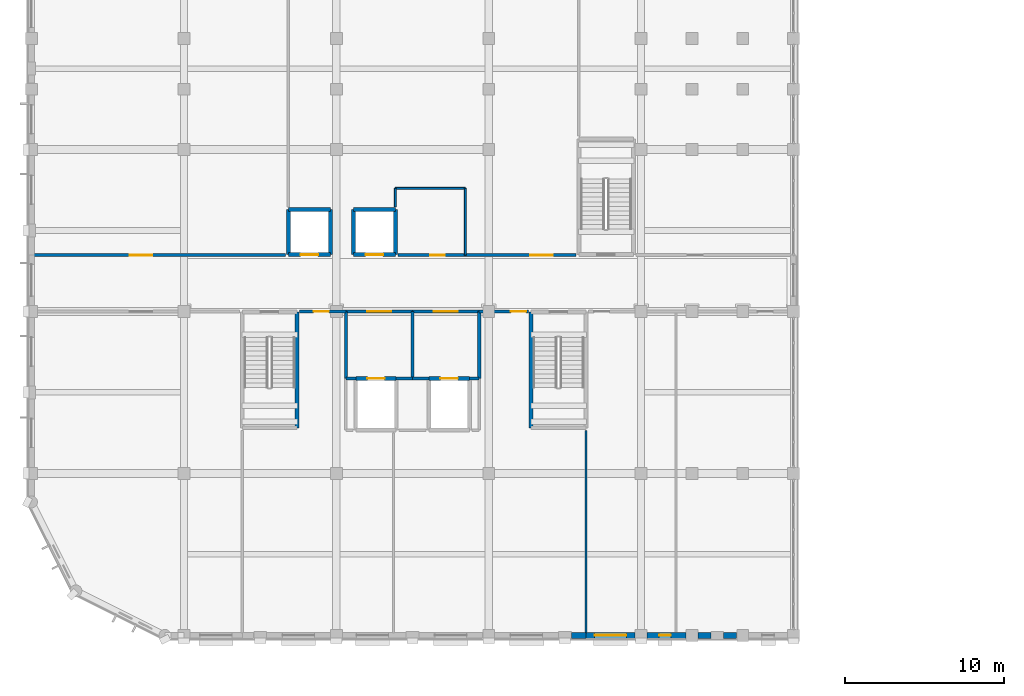
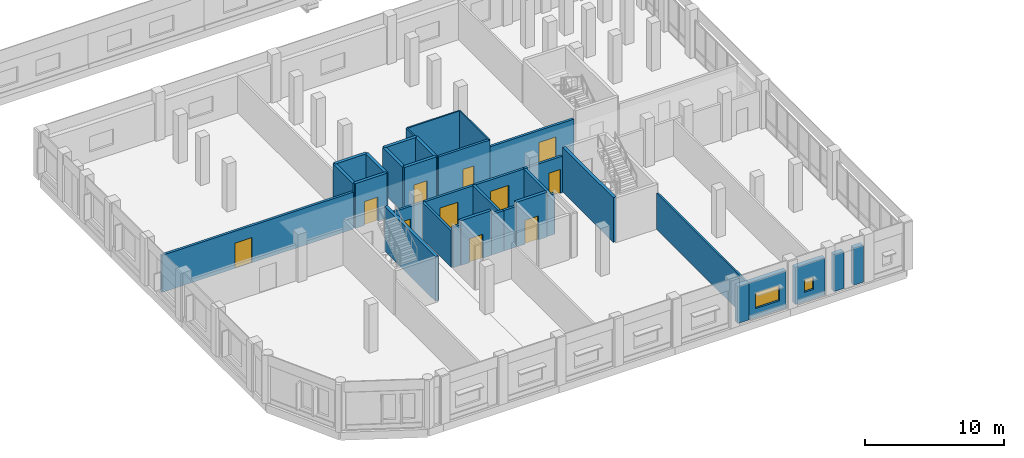
# One storey, part 137 of 170: 35 walls, 11 doors, 2 windows, 13 openings.
"""IFC4 building model written with IfcOpenShell, lengths in metres."""

from ifc_helpers import new_model, si_unit, direction, frame, frame_2d, origin, place, context, subcontext, project, spatial, rectangle, extrude, material, layer, layer_set, type_object, element, fill, save


model = new_model("IFC4")

# Units and contexts
model_context = context("Model", 3, precision=1e-05, world=origin(), true_north=direction((0.0, 1.0)))
body_context = subcontext(model_context, "Body", "Model", "MODEL_VIEW")
ifc_project = project(units=[si_unit("LENGTHUNIT", "METRE"), si_unit("AREAUNIT", "SQUARE_METRE"), si_unit("VOLUMEUNIT", "CUBIC_METRE"), si_unit("PLANEANGLEUNIT", "RADIAN"), si_unit("MASSUNIT", "GRAM", prefix="KILO")], contexts=[model_context])

# Site, building, storey
site_placement = place(None, origin())
site = spatial("IfcSite", under=ifc_project, at=site_placement, CompositionType="ELEMENT")
building_placement = place(site_placement, origin())
building = spatial("IfcBuilding", under=site, at=building_placement, Name="Vondelvale Polytechnic", CompositionType="ELEMENT")
storey_placement = place(building_placement, frame((0.0, 0.0, 5.39990234375)))
storey = spatial("IfcBuildingStorey", under=building, at=storey_placement, Name="L01", CompositionType="ELEMENT", Elevation=5.39990234375)

# Wall
ifc_material_1 = material(Name="Amsterdam School iron-spot clinker clay brickwork", Category="masonry")
ifc_layer_1 = layer(ifc_material_1, 0.3798828125)
ifc_layer_set_1 = layer_set([ifc_layer_1], Name="WL-BRICK-380")
wall_type_1 = type_object("IfcWallType", Name="WL-BRICK-380", PredefinedType="SOLIDWALL", material=ifc_layer_set_1)
wall_1_placement = place(storey_placement, frame((34.925048828125, 0.0, 0.0), z_axis=(0.0, 0.0, 1.0), x_axis=(-1.0, 0.0, 0.0)))
element("IfcWall", 1, at=wall_1_placement, inside=storey, type_object=wall_type_1, Name="L01 exterior masonry facade wall", PredefinedType="SOLIDWALL", context=body_context, shape_type="SweptSolid", body=[
    extrude(rectangle(XDim=0.924072265625, YDim=0.3798828125, at=frame_2d((0.4619140625, 0.0))), origin(), (0.0, 0.0, 1.0), 3.25),
])

# Wall, opening, window
wall_2_placement = place(storey_placement, frame((38.02392578125, 0.0, 0.0), z_axis=(0.0, 0.0, 1.0), x_axis=(-1.0, 0.0, 0.0)))
wall_2 = element("IfcWall", 2, at=wall_2_placement, inside=storey, type_object=wall_type_1, Name="L01 exterior masonry facade wall", PredefinedType="SOLIDWALL", context=body_context, shape_type="SweptSolid", body=[
    extrude(rectangle(XDim=3.098876953125, YDim=0.3798828125, at=frame_2d((1.54931640625, 0.0))), origin(), (0.0, 0.0, 1.0), 3.25),
])
opening_1_placement = place(wall_2_placement, frame((0.549560546875, 0.0, 0.800048828125)))
opening_1 = element("IfcOpeningElement", 3, at=opening_1_placement, cuts=wall_2, Name="Opening WN-0165", PredefinedType="OPENING", context=body_context, shape_type="SweptSolid", body=[
    extrude(rectangle(XDim=2.0, YDim=1.35009765625, at=frame_2d((1.0, 0.675048828125))), frame((0.0, 0.199951171875, 0.0), z_axis=(0.0, -1.0, 0.0), x_axis=(1.0, 0.0, 0.0)), (0.0, 0.0, 1.0), 0.39990234375),
])
ifc_material_2 = material(Name="Double-glazed low-E insulated architectural glass", Category="glass")
window_type_1 = type_object("IfcWindowType", Name="WN-RIB-2000x1350", PartitioningType="SINGLE_PANEL", PredefinedType="WINDOW", material=ifc_material_2)
window_1_placement = place(opening_1_placement, origin())
window_1 = element("IfcWindow", 4, at=window_1_placement, inside=storey, type_object=window_type_1, Name="L01 double-glazed architectural window WN-0165", OverallHeight=1.35009765625, OverallWidth=2.0, PartitioningType="SINGLE_PANEL", PredefinedType="WINDOW", context=body_context, shape_type="SweptSolid", body=[
    extrude(rectangle(XDim=2.0, YDim=1.35009765625, at=frame_2d((1.0, 0.675048828125))), frame((0.0, 0.030029296875, 0.0), z_axis=(0.0, -1.0, 0.0), x_axis=(1.0, 0.0, 0.0)), (0.0, 0.0, 1.0), 0.06005859375),
])
fill(opening_1, window_1)

# Wall
wall_3_placement = place(storey_placement, frame((42.799072265625, 0.0, 0.0), z_axis=(0.0, 0.0, 1.0), x_axis=(-1.0, 0.0, 0.0)))
element("IfcWall", 5, at=wall_3_placement, inside=storey, type_object=wall_type_1, Name="L01 exterior masonry facade wall", PredefinedType="SOLIDWALL", context=body_context, shape_type="SweptSolid", body=[
    extrude(rectangle(XDim=0.822998046875, YDim=0.3798828125, at=frame_2d((0.41162109375, 0.0))), origin(), (0.0, 0.0, 1.0), 3.25),
])

# Wall, opening, window
wall_4_placement = place(storey_placement, frame((41.22412109375, 0.0, 0.0), z_axis=(0.0, 0.0, 1.0), x_axis=(-1.0, 0.0, 0.0)))
wall_4 = element("IfcWall", 6, at=wall_4_placement, inside=storey, type_object=wall_type_1, Name="L01 exterior masonry facade wall", PredefinedType="SOLIDWALL", context=body_context, shape_type="SweptSolid", body=[
    extrude(rectangle(XDim=2.4482421875, YDim=0.3798828125, at=frame_2d((1.22412109375, 0.0))), origin(), (0.0, 0.0, 1.0), 3.25),
])
opening_2_placement = place(wall_4_placement, frame((0.944091796875, 0.0, 0.800048828125)))
opening_2 = element("IfcOpeningElement", 7, at=opening_2_placement, cuts=wall_4, Name="Opening WN-0166", PredefinedType="OPENING", context=body_context, shape_type="SweptSolid", body=[
    extrude(rectangle(XDim=0.75, YDim=1.10009765625, at=frame_2d((0.375, 0.550048828125))), frame((0.0, 0.199951171875, 0.0), z_axis=(0.0, -1.0, 0.0), x_axis=(1.0, 0.0, 0.0)), (0.0, 0.0, 1.0), 0.39990234375),
])
window_type_2 = type_object("IfcWindowType", Name="WN-WC-0750x1100", PartitioningType="SINGLE_PANEL", PredefinedType="WINDOW", material=ifc_material_2)
window_2_placement = place(opening_2_placement, origin())
window_2 = element("IfcWindow", 8, at=window_2_placement, inside=storey, type_object=window_type_2, Name="L01 double-glazed architectural window WN-0166", OverallHeight=1.10009765625, OverallWidth=0.75, PartitioningType="SINGLE_PANEL", PredefinedType="WINDOW", context=body_context, shape_type="SweptSolid", body=[
    extrude(rectangle(XDim=0.75, YDim=1.10009765625, at=frame_2d((0.375, 0.550048828125))), frame((0.0, 0.030029296875, 0.0), z_axis=(0.0, -1.0, 0.0), x_axis=(1.0, 0.0, 0.0)), (0.0, 0.0, 1.0), 0.06005859375),
])
fill(opening_2, window_2)

# Walls
wall_5_placement = place(storey_placement, frame((44.424072265625, 0.0, 0.0), z_axis=(0.0, 0.0, 1.0), x_axis=(-1.0, 0.0, 0.0)))
element("IfcWall", 9, at=wall_5_placement, inside=storey, type_object=wall_type_1, Name="L01 exterior masonry facade wall", PredefinedType="SOLIDWALL", context=body_context, shape_type="SweptSolid", body=[
    extrude(rectangle(XDim=0.822998046875, YDim=0.3798828125, at=frame_2d((0.41162109375, 0.0))), origin(), (0.0, 0.0, 1.0), 3.25),
])
ifc_material_3 = material(Name="Concrete N40 (f'c = 40 MPa)", Category="concrete")
ifc_layer_2 = layer(ifc_material_3, 0.25)
ifc_layer_set_2 = layer_set([ifc_layer_2], Name="WL-CORE-250")
wall_type_2 = type_object("IfcWallType", Name="WL-CORE-250", PredefinedType="SOLIDWALL", material=ifc_layer_set_2)
for number, where, z_axis, x_axis, name in (
    (10, (16.72509765625, 13.074951171875, 0.0), (0.0, 0.0, 1.0), (0.0, 1.0, 0.0), "L01 ST-03 reinforced concrete stair core wall"),
    (11, (31.47509765625, 20.375, 0.0), (0.0, 0.0, 1.0), (0.0, -1.0, 0.0), "L01 ST-04 reinforced concrete stair core wall"),
):
    element("IfcWall", number, at=place(storey_placement, frame(where, z_axis=z_axis, x_axis=x_axis)), inside=storey, type_object=wall_type_2, Name=name, PredefinedType="SOLIDWALL", context=body_context, shape_type="SweptSolid", body=[
        extrude(rectangle(XDim=7.300048828125, YDim=0.25, at=frame_2d((3.64990234375, 0.0))), origin(), (0.0, 0.0, 1.0), 3.920166015625),
    ])

# Wall, opening, door
ifc_material_4 = material(Name="Fire-rated double-layer plasterboard stud partition")
ifc_layer_3 = layer(ifc_material_4, 0.199951171875)
ifc_layer_set_3 = layer_set([ifc_layer_3], Name="WL-CORR-200")
wall_type_3 = type_object("IfcWallType", Name="WL-CORR-200", PredefinedType="PARTITIONING", material=ifc_layer_set_3)
wall_6_placement = place(storey_placement, frame((19.800048828125, 20.39990234375, 0.0), z_axis=(0.0, 0.0, 1.0), x_axis=(1.0, 0.0, 0.0)))
wall_6 = element("IfcWall", 12, at=wall_6_placement, inside=storey, type_object=wall_type_3, Name="L01 EL-01 fire-isolated lift lobby wall", PredefinedType="PARTITIONING", context=body_context, shape_type="SweptSolid", body=[
    extrude(rectangle(XDim=4.199951171875, YDim=0.199951171875, at=frame_2d((2.10009765625, 0.0))), origin(), (0.0, 0.0, 1.0), 3.2001953125),
])
opening_3_placement = place(wall_6_placement, frame((1.35009765625, 0.0, 0.0)))
opening_3 = element("IfcOpeningElement", 13, at=opening_3_placement, cuts=wall_6, Name="Opening LBD-058", PredefinedType="OPENING", context=body_context, shape_type="SweptSolid", body=[
    extrude(rectangle(XDim=1.5, YDim=2.199951171875, at=frame_2d((0.75, 1.10009765625))), frame((0.0, 0.10986328125, 0.0), z_axis=(0.0, -1.0, 0.0), x_axis=(1.0, 0.0, 0.0)), (0.0, 0.0, 1.0), 0.219970703125),
])
ifc_material_5 = material(Name="Engineered Tasmanian oak studio and bridge joinery")
door_type_1 = type_object("IfcDoorType", Name="DR-LOBBY-1500x2200", OperationType="DOUBLE_DOOR_SINGLE_SWING", PredefinedType="DOOR", material=ifc_material_5)
door_1_placement = place(opening_3_placement, origin())
door_1 = element("IfcDoor", 14, at=door_1_placement, inside=storey, type_object=door_type_1, Name="L01 EL-01 firefighting lobby smoke door", OperationType="SINGLE_SWING_LEFT", OverallHeight=2.199951171875, OverallWidth=1.5, PredefinedType="DOOR", context=body_context, shape_type="SweptSolid", body=[
    extrude(rectangle(XDim=1.5, YDim=2.199951171875, at=frame_2d((0.75, 1.10009765625))), frame((0.0, 0.02490234375, 0.0), z_axis=(0.0, -1.0, 0.0), x_axis=(1.0, 0.0, 0.0)), (0.0, 0.0, 1.0), 0.050048828125),
])
fill(opening_3, door_1)

# Walls
for number, where, z_axis, x_axis, name in (
    (15, (19.800048828125, 16.175048828125, 0.0), (0.0, 0.0, 1.0), (0.0, 1.0, 0.0), "L01 EL-01 fire-isolated lift lobby wall"),
    (16, (24.0, 16.175048828125, 0.0), (0.0, 0.0, 1.0), (0.0, 1.0, 0.0), "L01 EL-01 fire-isolated lift lobby wall"),
):
    element("IfcWall", number, at=place(storey_placement, frame(where, z_axis=z_axis, x_axis=x_axis)), inside=storey, type_object=wall_type_3, Name=name, PredefinedType="PARTITIONING", context=body_context, shape_type="SweptSolid", body=[
        extrude(rectangle(XDim=4.224853515625, YDim=0.199951171875, at=frame_2d((2.1123046875, 0.0))), origin(), (0.0, 0.0, 1.0), 3.2001953125),
    ])
wall_7_placement = place(storey_placement, frame((19.800048828125, 16.175048828125, 0.0), z_axis=(0.0, 0.0, 1.0), x_axis=(1.0, 0.0, 0.0)))
element("IfcWall", 17, at=wall_7_placement, inside=storey, type_object=wall_type_3, Name="L01 EL-01 fire-isolated lift lobby wall", PredefinedType="PARTITIONING", context=body_context, shape_type="SweptSolid", body=[
    extrude(rectangle(XDim=0.625, YDim=0.199951171875, at=frame_2d((0.3125, 0.0))), origin(), (0.0, 0.0, 1.0), 3.550048828125),
])
wall_8_placement = place(storey_placement, frame((22.97509765625, 16.175048828125, 0.0), z_axis=(0.0, 0.0, 1.0), x_axis=(1.0, 0.0, 0.0)))
element("IfcWall", 18, at=wall_8_placement, inside=storey, type_object=wall_type_3, Name="L01 EL-01 fire-isolated lift lobby wall", PredefinedType="PARTITIONING", context=body_context, shape_type="SweptSolid", body=[
    extrude(rectangle(XDim=1.02490234375, YDim=0.199951171875, at=frame_2d((0.512451171875, 0.0))), origin(), (0.0, 0.0, 1.0), 3.550048828125),
])

# Wall, opening, door
wall_9_placement = place(storey_placement, frame((24.0, 20.39990234375, 0.0), z_axis=(0.0, 0.0, 1.0), x_axis=(1.0, 0.0, 0.0)))
wall_9 = element("IfcWall", 19, at=wall_9_placement, inside=storey, type_object=wall_type_3, Name="L01 EL-02 fire-isolated lift lobby wall", PredefinedType="PARTITIONING", context=body_context, shape_type="SweptSolid", body=[
    extrude(rectangle(XDim=4.199951171875, YDim=0.199951171875, at=frame_2d((2.10009765625, 0.0))), origin(), (0.0, 0.0, 1.0), 3.2001953125),
])
opening_4_placement = place(wall_9_placement, frame((1.35009765625, 0.0, 0.0)))
opening_4 = element("IfcOpeningElement", 20, at=opening_4_placement, cuts=wall_9, Name="Opening LBD-067", PredefinedType="OPENING", context=body_context, shape_type="SweptSolid", body=[
    extrude(rectangle(XDim=1.5, YDim=2.199951171875, at=frame_2d((0.75, 1.10009765625))), frame((0.0, 0.10986328125, 0.0), z_axis=(0.0, -1.0, 0.0), x_axis=(1.0, 0.0, 0.0)), (0.0, 0.0, 1.0), 0.219970703125),
])
door_2_placement = place(opening_4_placement, origin())
door_2 = element("IfcDoor", 21, at=door_2_placement, inside=storey, type_object=door_type_1, Name="L01 EL-02 firefighting lobby smoke door", OperationType="SINGLE_SWING_LEFT", OverallHeight=2.199951171875, OverallWidth=1.5, PredefinedType="DOOR", context=body_context, shape_type="SweptSolid", body=[
    extrude(rectangle(XDim=1.5, YDim=2.199951171875, at=frame_2d((0.75, 1.10009765625))), frame((0.0, 0.02490234375, 0.0), z_axis=(0.0, -1.0, 0.0), x_axis=(1.0, 0.0, 0.0)), (0.0, 0.0, 1.0), 0.050048828125),
])
fill(opening_4, door_2)

# Walls
wall_10_placement = place(storey_placement, frame((28.199951171875, 16.175048828125, 0.0), z_axis=(0.0, 0.0, 1.0), x_axis=(0.0, 1.0, 0.0)))
element("IfcWall", 22, at=wall_10_placement, inside=storey, type_object=wall_type_3, Name="L01 EL-02 fire-isolated lift lobby wall", PredefinedType="PARTITIONING", context=body_context, shape_type="SweptSolid", body=[
    extrude(rectangle(XDim=4.224853515625, YDim=0.199951171875, at=frame_2d((2.1123046875, 0.0))), origin(), (0.0, 0.0, 1.0), 3.2001953125),
])
wall_11_placement = place(storey_placement, frame((24.0, 16.175048828125, 0.0), z_axis=(0.0, 0.0, 1.0), x_axis=(1.0, 0.0, 0.0)))
element("IfcWall", 23, at=wall_11_placement, inside=storey, type_object=wall_type_3, Name="L01 EL-02 fire-isolated lift lobby wall", PredefinedType="PARTITIONING", context=body_context, shape_type="SweptSolid", body=[
    extrude(rectangle(XDim=1.02490234375, YDim=0.199951171875, at=frame_2d((0.512451171875, 0.0))), origin(), (0.0, 0.0, 1.0), 3.550048828125),
])
wall_12_placement = place(storey_placement, frame((27.574951171875, 16.175048828125, 0.0), z_axis=(0.0, 0.0, 1.0), x_axis=(1.0, 0.0, 0.0)))
element("IfcWall", 24, at=wall_12_placement, inside=storey, type_object=wall_type_3, Name="L01 EL-02 fire-isolated lift lobby wall", PredefinedType="PARTITIONING", context=body_context, shape_type="SweptSolid", body=[
    extrude(rectangle(XDim=0.625, YDim=0.199951171875, at=frame_2d((0.3125, 0.0))), origin(), (0.0, 0.0, 1.0), 3.550048828125),
])

# Wall, opening, door
wall_13_placement = place(storey_placement, frame((16.889892578125, 20.39990234375, 0.0), z_axis=(0.0, 0.0, 1.0), x_axis=(1.0, 0.0, 0.0)))
wall_13 = element("IfcWall", 25, at=wall_13_placement, inside=storey, type_object=wall_type_3, Name="L01 interior acoustic partition", PredefinedType="PARTITIONING", context=body_context, shape_type="SweptSolid", body=[
    extrude(rectangle(XDim=2.91015625, YDim=0.199951171875, at=frame_2d((1.455078125, 0.0))), origin(), (0.0, 0.0, 1.0), 3.2001953125),
])
opening_5_placement = place(wall_13_placement, frame((0.885009765625, 0.0, 0.0)))
opening_5 = element("IfcOpeningElement", 26, at=opening_5_placement, cuts=wall_13, Name="Opening ID-0150", PredefinedType="OPENING", context=body_context, shape_type="SweptSolid", body=[
    extrude(rectangle(XDim=0.949951171875, YDim=2.10009765625, at=frame_2d((0.47509765625, 1.050048828125))), frame((0.0, 0.10986328125, 0.0), z_axis=(0.0, -1.0, 0.0), x_axis=(1.0, 0.0, 0.0)), (0.0, 0.0, 1.0), 0.219970703125),
])
ifc_material_6 = material(Name="Fire-rated solid Tasmanian oak joinery")
door_type_2 = type_object("IfcDoorType", Name="DR-INT-0950x2100", OperationType="SINGLE_SWING_LEFT", PredefinedType="DOOR", material=ifc_material_6)
door_3_placement = place(opening_5_placement, origin())
door_3 = element("IfcDoor", 27, at=door_3_placement, inside=storey, type_object=door_type_2, Name="L01 interior room door ID-0150", OperationType="SINGLE_SWING_RIGHT", OverallHeight=2.10009765625, OverallWidth=0.949951171875, PredefinedType="DOOR", context=body_context, shape_type="SweptSolid", body=[
    extrude(rectangle(XDim=0.949951171875, YDim=2.10009765625, at=frame_2d((0.47509765625, 1.050048828125))), frame((0.0, 0.02490234375, 0.0), z_axis=(0.0, -1.0, 0.0), x_axis=(1.0, 0.0, 0.0)), (0.0, 0.0, 1.0), 0.050048828125),
])
fill(opening_5, door_3)

wall_14_placement = place(storey_placement, frame((28.199951171875, 20.39990234375, 0.0), z_axis=(0.0, 0.0, 1.0), x_axis=(1.0, 0.0, 0.0)))
wall_14 = element("IfcWall", 28, at=wall_14_placement, inside=storey, type_object=wall_type_3, Name="L01 interior acoustic partition", PredefinedType="PARTITIONING", context=body_context, shape_type="SweptSolid", body=[
    extrude(rectangle(XDim=3.110107421875, YDim=0.199951171875, at=frame_2d((1.55517578125, 0.0))), origin(), (0.0, 0.0, 1.0), 3.2001953125),
])
opening_6_placement = place(wall_14_placement, frame((2.0, 0.0, 0.0)))
opening_6 = element("IfcOpeningElement", 29, at=opening_6_placement, cuts=wall_14, Name="Opening ID-0151", PredefinedType="OPENING", context=body_context, shape_type="SweptSolid", body=[
    extrude(rectangle(XDim=0.949951171875, YDim=2.10009765625, at=frame_2d((0.47509765625, 1.050048828125))), frame((0.0, 0.10986328125, 0.0), z_axis=(0.0, -1.0, 0.0), x_axis=(1.0, 0.0, 0.0)), (0.0, 0.0, 1.0), 0.219970703125),
])
door_4_placement = place(opening_6_placement, origin())
door_4 = element("IfcDoor", 30, at=door_4_placement, inside=storey, type_object=door_type_2, Name="L01 interior room door ID-0151", OperationType="SINGLE_SWING_LEFT", OverallHeight=2.10009765625, OverallWidth=0.949951171875, PredefinedType="DOOR", context=body_context, shape_type="SweptSolid", body=[
    extrude(rectangle(XDim=0.949951171875, YDim=2.10009765625, at=frame_2d((0.47509765625, 1.050048828125))), frame((0.0, 0.02490234375, 0.0), z_axis=(0.0, -1.0, 0.0), x_axis=(1.0, 0.0, 0.0)), (0.0, 0.0, 1.0), 0.050048828125),
])
fill(opening_6, door_4)

wall_15_placement = place(storey_placement, frame((23.090087890625, 23.949951171875, 0.0), z_axis=(0.0, 0.0, 1.0), x_axis=(1.0, 0.0, 0.0)))
wall_15 = element("IfcWall", 31, at=wall_15_placement, inside=storey, type_object=wall_type_3, Name="L01 interior acoustic partition", PredefinedType="PARTITIONING", context=body_context, shape_type="SweptSolid", body=[
    extrude(rectangle(XDim=4.23486328125, YDim=0.199951171875, at=frame_2d((2.117431640625, 0.0))), origin(), (0.0, 0.0, 1.0), 3.85009765625),
])
opening_7_placement = place(wall_15_placement, frame((2.034912109375, 0.0, 0.0)))
opening_7 = element("IfcOpeningElement", 32, at=opening_7_placement, cuts=wall_15, Name="Opening ID-0154", PredefinedType="OPENING", context=body_context, shape_type="SweptSolid", body=[
    extrude(rectangle(XDim=0.89990234375, YDim=2.050048828125, at=frame_2d((0.449951171875, 1.02490234375))), frame((0.0, 0.10986328125, 0.0), z_axis=(0.0, -1.0, 0.0), x_axis=(1.0, 0.0, 0.0)), (0.0, 0.0, 1.0), 0.219970703125),
])
door_type_3 = type_object("IfcDoorType", Name="DR-WC-0900x2050", OperationType="SINGLE_SWING_RIGHT", PredefinedType="DOOR", material=ifc_material_6)
door_5_placement = place(opening_7_placement, origin())
door_5 = element("IfcDoor", 33, at=door_5_placement, inside=storey, type_object=door_type_3, Name="L01 interior room door ID-0154", OperationType="SINGLE_SWING_RIGHT", OverallHeight=2.050048828125, OverallWidth=0.89990234375, PredefinedType="DOOR", context=body_context, shape_type="SweptSolid", body=[
    extrude(rectangle(XDim=0.89990234375, YDim=2.050048828125, at=frame_2d((0.449951171875, 1.02490234375))), frame((0.0, 0.02490234375, 0.0), z_axis=(0.0, -1.0, 0.0), x_axis=(1.0, 0.0, 0.0)), (0.0, 0.0, 1.0), 0.050048828125),
])
fill(opening_7, door_5)

wall_16_placement = place(storey_placement, frame((0.14990234375, 23.949951171875, 0.0), z_axis=(0.0, 0.0, 1.0), x_axis=(1.0, 0.0, 0.0)))
wall_16 = element("IfcWall", 34, at=wall_16_placement, inside=storey, type_object=wall_type_3, Name="L01 interior acoustic partition", PredefinedType="PARTITIONING", context=body_context, shape_type="SweptSolid", body=[
    extrude(rectangle(XDim=15.860107421875, YDim=0.199951171875, at=frame_2d((7.93017578125, 0.0))), origin(), (0.0, 0.0, 1.0), 3.25),
])
opening_8_placement = place(wall_16_placement, frame((6.050048828125, 0.0, 0.0)))
opening_8 = element("IfcOpeningElement", 35, at=opening_8_placement, cuts=wall_16, Name="Opening ID-0155", PredefinedType="OPENING", context=body_context, shape_type="SweptSolid", body=[
    extrude(rectangle(XDim=1.39990234375, YDim=2.199951171875, at=frame_2d((0.699951171875, 1.10009765625))), frame((0.0, 0.10986328125, 0.0), z_axis=(0.0, -1.0, 0.0), x_axis=(1.0, 0.0, 0.0)), (0.0, 0.0, 1.0), 0.219970703125),
])
door_type_4 = type_object("IfcDoorType", Name="DR-LAB-1400x2200", OperationType="DOUBLE_DOOR_SINGLE_SWING", PredefinedType="DOOR", material=ifc_material_6)
door_6_placement = place(opening_8_placement, origin())
door_6 = element("IfcDoor", 36, at=door_6_placement, inside=storey, type_object=door_type_4, Name="L01 interior room door ID-0155", OperationType="DOUBLE_DOOR_SINGLE_SWING", OverallHeight=2.199951171875, OverallWidth=1.39990234375, PredefinedType="DOOR", context=body_context, shape_type="SweptSolid", body=[
    extrude(rectangle(XDim=1.39990234375, YDim=2.199951171875, at=frame_2d((0.699951171875, 1.10009765625))), frame((0.0, 0.02490234375, 0.0), z_axis=(0.0, -1.0, 0.0), x_axis=(1.0, 0.0, 0.0)), (0.0, 0.0, 1.0), 0.050048828125),
])
fill(opening_8, door_6)

wall_17_placement = place(storey_placement, frame((27.324951171875, 23.949951171875, 0.0), z_axis=(0.0, 0.0, 1.0), x_axis=(1.0, 0.0, 0.0)))
wall_17 = element("IfcWall", 37, at=wall_17_placement, inside=storey, type_object=wall_type_3, Name="L01 interior acoustic partition", PredefinedType="PARTITIONING", context=body_context, shape_type="SweptSolid", body=[
    extrude(rectangle(XDim=6.985107421875, YDim=0.199951171875, at=frame_2d((3.49267578125, 0.0))), origin(), (0.0, 0.0, 1.0), 3.25),
])
opening_9_placement = place(wall_17_placement, frame((4.10009765625, 0.0, 0.0)))
opening_9 = element("IfcOpeningElement", 38, at=opening_9_placement, cuts=wall_17, Name="Opening ID-0156", PredefinedType="OPENING", context=body_context, shape_type="SweptSolid", body=[
    extrude(rectangle(XDim=1.39990234375, YDim=2.199951171875, at=frame_2d((0.699951171875, 1.10009765625))), frame((0.0, 0.10986328125, 0.0), z_axis=(0.0, -1.0, 0.0), x_axis=(1.0, 0.0, 0.0)), (0.0, 0.0, 1.0), 0.219970703125),
])
door_7_placement = place(opening_9_placement, origin())
door_7 = element("IfcDoor", 39, at=door_7_placement, inside=storey, type_object=door_type_4, Name="L01 interior room door ID-0156", OperationType="DOUBLE_DOOR_SINGLE_SWING", OverallHeight=2.199951171875, OverallWidth=1.39990234375, PredefinedType="DOOR", context=body_context, shape_type="SweptSolid", body=[
    extrude(rectangle(XDim=1.39990234375, YDim=2.199951171875, at=frame_2d((0.699951171875, 1.10009765625))), frame((0.0, 0.02490234375, 0.0), z_axis=(0.0, -1.0, 0.0), x_axis=(1.0, 0.0, 0.0)), (0.0, 0.0, 1.0), 0.050048828125),
])
fill(opening_9, door_7)

# Walls
ifc_layer_4 = layer(ifc_material_4, 0.1201171875)
ifc_layer_set_4 = layer_set([ifc_layer_4], Name="WL-INT-120")
wall_type_4 = type_object("IfcWallType", Name="WL-INT-120", PredefinedType="PARTITIONING", material=ifc_layer_set_4)
wall_18_placement = place(storey_placement, frame((22.925048828125, 26.989990234375, 0.0), z_axis=(0.0, 0.0, 1.0), x_axis=(0.0, 1.0, 0.0)))
element("IfcWall", 40, at=wall_18_placement, inside=storey, type_object=wall_type_4, Name="L01 interior acoustic partition", PredefinedType="PARTITIONING", context=body_context, shape_type="SweptSolid", body=[
    extrude(rectangle(XDim=1.159912109375, YDim=0.1201171875, at=frame_2d((0.580078125, 0.0))), origin(), (0.0, 0.0, 1.0), 3.85009765625),
])
wall_19_placement = place(storey_placement, frame((22.925048828125, 28.14990234375, 0.0), z_axis=(0.0, 0.0, 1.0), x_axis=(1.0, 0.0, 0.0)))
element("IfcWall", 41, at=wall_19_placement, inside=storey, type_object=wall_type_4, Name="L01 interior acoustic partition", PredefinedType="PARTITIONING", context=body_context, shape_type="SweptSolid", body=[
    extrude(rectangle(XDim=4.39990234375, YDim=0.1201171875, at=frame_2d((2.199951171875, 0.0))), origin(), (0.0, 0.0, 1.0), 3.85009765625),
])
wall_20_placement = place(storey_placement, frame((27.324951171875, 23.949951171875, 0.0), z_axis=(0.0, 0.0, 1.0), x_axis=(0.0, 1.0, 0.0)))
element("IfcWall", 42, at=wall_20_placement, inside=storey, type_object=wall_type_4, Name="L01 interior acoustic partition", PredefinedType="PARTITIONING", context=body_context, shape_type="SweptSolid", body=[
    extrude(rectangle(XDim=4.199951171875, YDim=0.1201171875, at=frame_2d((2.10009765625, 0.0))), origin(), (0.0, 0.0, 1.0), 3.85009765625),
])
ifc_layer_5 = layer(ifc_material_4, 0.14990234375)
ifc_layer_set_5 = layer_set([ifc_layer_5], Name="WL-INT-150")
wall_type_5 = type_object("IfcWallType", Name="WL-INT-150", PredefinedType="PARTITIONING", material=ifc_layer_set_5)
wall_21_placement = place(storey_placement, frame((34.925048828125, 0.14990234375, 0.0), z_axis=(0.0, 0.0, 1.0), x_axis=(0.0, 1.0, 0.0)))
element("IfcWall", 43, at=wall_21_placement, inside=storey, type_object=wall_type_5, Name="L01 interior acoustic partition", PredefinedType="PARTITIONING", context=body_context, shape_type="SweptSolid", body=[
    extrude(rectangle(XDim=12.760009765625, YDim=0.14990234375, at=frame_2d((6.3798828125, 0.0))), origin(), (0.0, 0.0, 1.0), 3.2001953125),
])

# Wall, opening, door
ifc_layer_6 = layer(ifc_material_3, 0.25)
ifc_layer_set_6 = layer_set([ifc_layer_6], Name="WL-SHAFT-250")
wall_type_6 = type_object("IfcWallType", Name="WL-SHAFT-250", PredefinedType="SOLIDWALL", material=ifc_layer_set_6)
wall_22_placement = place(storey_placement, frame((22.97509765625, 16.175048828125, 0.0), z_axis=(0.0, 0.0, 1.0), x_axis=(-1.0, 0.0, 0.0)))
wall_22 = element("IfcWall", 44, at=wall_22_placement, inside=storey, type_object=wall_type_6, Name="L01 EL-01 lift shaft wall N", PredefinedType="SOLIDWALL", context=body_context, shape_type="SweptSolid", body=[
    extrude(rectangle(XDim=2.550048828125, YDim=0.25, at=frame_2d((1.27490234375, 0.0))), origin(), (0.0, 0.0, 1.0), 3.920166015625),
])
opening_10_placement = place(wall_22_placement, frame((0.72509765625, 0.0, 0.0)))
opening_10 = element("IfcOpeningElement", 45, at=opening_10_placement, cuts=wall_22, Name="Opening LD-003", PredefinedType="OPENING", context=body_context, shape_type="SweptSolid", body=[
    extrude(rectangle(XDim=1.10009765625, YDim=2.10009765625, at=frame_2d((0.550048828125, 1.050048828125))), frame((0.0, 0.135009765625, 0.0), z_axis=(0.0, -1.0, 0.0), x_axis=(1.0, 0.0, 0.0)), (0.0, 0.0, 1.0), 0.27001953125),
])
ifc_material_7 = material(Name="Brushed architectural stainless and zinc-coated metal")
door_type_5 = type_object("IfcDoorType", Name="DR-LIFT-1100x2100", OperationType="SLIDING_TO_LEFT", PredefinedType="DOOR", material=ifc_material_7)
door_8_placement = place(opening_10_placement, origin())
door_8 = element("IfcDoor", 46, at=door_8_placement, inside=storey, type_object=door_type_5, Name="L01 EL-01 sliding lift landing door", OperationType="SLIDING_TO_LEFT", OverallHeight=2.10009765625, OverallWidth=1.10009765625, PredefinedType="DOOR", context=body_context, shape_type="SweptSolid", body=[
    extrude(rectangle(XDim=1.10009765625, YDim=2.10009765625, at=frame_2d((0.550048828125, 1.050048828125))), frame((0.0, 0.02490234375, 0.0), z_axis=(0.0, -1.0, 0.0), x_axis=(1.0, 0.0, 0.0)), (0.0, 0.0, 1.0), 0.050048828125),
])
fill(opening_10, door_8)

wall_23_placement = place(storey_placement, frame((27.574951171875, 16.175048828125, 0.0), z_axis=(0.0, 0.0, 1.0), x_axis=(-1.0, 0.0, 0.0)))
wall_23 = element("IfcWall", 47, at=wall_23_placement, inside=storey, type_object=wall_type_6, Name="L01 EL-02 lift shaft wall N", PredefinedType="SOLIDWALL", context=body_context, shape_type="SweptSolid", body=[
    extrude(rectangle(XDim=2.550048828125, YDim=0.25, at=frame_2d((1.27490234375, 0.0))), origin(), (0.0, 0.0, 1.0), 3.920166015625),
])
opening_11_placement = place(wall_23_placement, frame((0.72509765625, 0.0, 0.0)))
opening_11 = element("IfcOpeningElement", 48, at=opening_11_placement, cuts=wall_23, Name="Opening LD-012", PredefinedType="OPENING", context=body_context, shape_type="SweptSolid", body=[
    extrude(rectangle(XDim=1.10009765625, YDim=2.10009765625, at=frame_2d((0.550048828125, 1.050048828125))), frame((0.0, 0.135009765625, 0.0), z_axis=(0.0, -1.0, 0.0), x_axis=(1.0, 0.0, 0.0)), (0.0, 0.0, 1.0), 0.27001953125),
])
door_9_placement = place(opening_11_placement, origin())
door_9 = element("IfcDoor", 49, at=door_9_placement, inside=storey, type_object=door_type_5, Name="L01 EL-02 sliding lift landing door", OperationType="SLIDING_TO_LEFT", OverallHeight=2.10009765625, OverallWidth=1.10009765625, PredefinedType="DOOR", context=body_context, shape_type="SweptSolid", body=[
    extrude(rectangle(XDim=1.10009765625, YDim=2.10009765625, at=frame_2d((0.550048828125, 1.050048828125))), frame((0.0, 0.02490234375, 0.0), z_axis=(0.0, -1.0, 0.0), x_axis=(1.0, 0.0, 0.0)), (0.0, 0.0, 1.0), 0.050048828125),
])
fill(opening_11, door_9)

wall_24_placement = place(storey_placement, frame((16.175048828125, 23.97509765625, 0.0), z_axis=(0.0, 0.0, 1.0), x_axis=(1.0, 0.0, 0.0)))
wall_24 = element("IfcWall", 50, at=wall_24_placement, inside=storey, type_object=wall_type_6, Name="L01 PL-01 lift shaft wall S", PredefinedType="SOLIDWALL", context=body_context, shape_type="SweptSolid", body=[
    extrude(rectangle(XDim=2.64990234375, YDim=0.25, at=frame_2d((1.324951171875, 0.0))), origin(), (0.0, 0.0, 1.0), 3.920166015625),
])
opening_12_placement = place(wall_24_placement, frame((0.77490234375, 0.0, 0.0)))
opening_12 = element("IfcOpeningElement", 51, at=opening_12_placement, cuts=wall_24, Name="Opening LD-021", PredefinedType="OPENING", context=body_context, shape_type="SweptSolid", body=[
    extrude(rectangle(XDim=1.10009765625, YDim=2.10009765625, at=frame_2d((0.550048828125, 1.050048828125))), frame((0.0, 0.135009765625, 0.0), z_axis=(0.0, -1.0, 0.0), x_axis=(1.0, 0.0, 0.0)), (0.0, 0.0, 1.0), 0.27001953125),
])
door_10_placement = place(opening_12_placement, origin())
door_10 = element("IfcDoor", 52, at=door_10_placement, inside=storey, type_object=door_type_5, Name="L01 PL-01 sliding lift landing door", OperationType="SLIDING_TO_LEFT", OverallHeight=2.10009765625, OverallWidth=1.10009765625, PredefinedType="DOOR", context=body_context, shape_type="SweptSolid", body=[
    extrude(rectangle(XDim=1.10009765625, YDim=2.10009765625, at=frame_2d((0.550048828125, 1.050048828125))), frame((0.0, 0.02490234375, 0.0), z_axis=(0.0, -1.0, 0.0), x_axis=(1.0, 0.0, 0.0)), (0.0, 0.0, 1.0), 0.050048828125),
])
fill(opening_12, door_10)

# Walls
wall_25_placement = place(storey_placement, frame((18.824951171875, 23.97509765625, 0.0), z_axis=(0.0, 0.0, 1.0), x_axis=(0.0, 1.0, 0.0)))
element("IfcWall", 53, at=wall_25_placement, inside=storey, type_object=wall_type_6, Name="L01 PL-01 lift shaft wall E", PredefinedType="SOLIDWALL", context=body_context, shape_type="SweptSolid", body=[
    extrude(rectangle(XDim=2.849853515625, YDim=0.25, at=frame_2d((1.4248046875, 0.0))), origin(), (0.0, 0.0, 1.0), 3.920166015625),
])
wall_26_placement = place(storey_placement, frame((18.824951171875, 26.824951171875, 0.0), z_axis=(0.0, 0.0, 1.0), x_axis=(-1.0, 0.0, 0.0)))
element("IfcWall", 54, at=wall_26_placement, inside=storey, type_object=wall_type_6, Name="L01 PL-01 lift shaft wall N", PredefinedType="SOLIDWALL", context=body_context, shape_type="SweptSolid", body=[
    extrude(rectangle(XDim=2.64990234375, YDim=0.25, at=frame_2d((1.324951171875, 0.0))), origin(), (0.0, 0.0, 1.0), 3.920166015625),
])
wall_27_placement = place(storey_placement, frame((16.175048828125, 26.824951171875, 0.0), z_axis=(0.0, 0.0, 1.0), x_axis=(0.0, -1.0, 0.0)))
element("IfcWall", 55, at=wall_27_placement, inside=storey, type_object=wall_type_6, Name="L01 PL-01 lift shaft wall W", PredefinedType="SOLIDWALL", context=body_context, shape_type="SweptSolid", body=[
    extrude(rectangle(XDim=2.849853515625, YDim=0.25, at=frame_2d((1.4248046875, 0.0))), origin(), (0.0, 0.0, 1.0), 3.920166015625),
])

# Wall, opening, door
wall_28_placement = place(storey_placement, frame((20.27490234375, 23.97509765625, 0.0), z_axis=(0.0, 0.0, 1.0), x_axis=(1.0, 0.0, 0.0)))
wall_28 = element("IfcWall", 56, at=wall_28_placement, inside=storey, type_object=wall_type_6, Name="L01 PL-02 lift shaft wall S", PredefinedType="SOLIDWALL", context=body_context, shape_type="SweptSolid", body=[
    extrude(rectangle(XDim=2.650146484375, YDim=0.25, at=frame_2d((1.3251953125, 0.0))), origin(), (0.0, 0.0, 1.0), 3.920166015625),
])
opening_13_placement = place(wall_28_placement, frame((0.77490234375, 0.0, 0.0)))
opening_13 = element("IfcOpeningElement", 57, at=opening_13_placement, cuts=wall_28, Name="Opening LD-030", PredefinedType="OPENING", context=body_context, shape_type="SweptSolid", body=[
    extrude(rectangle(XDim=1.10009765625, YDim=2.10009765625, at=frame_2d((0.550048828125, 1.050048828125))), frame((0.0, 0.135009765625, 0.0), z_axis=(0.0, -1.0, 0.0), x_axis=(1.0, 0.0, 0.0)), (0.0, 0.0, 1.0), 0.27001953125),
])
door_11_placement = place(opening_13_placement, origin())
door_11 = element("IfcDoor", 58, at=door_11_placement, inside=storey, type_object=door_type_5, Name="L01 PL-02 sliding lift landing door", OperationType="SLIDING_TO_LEFT", OverallHeight=2.10009765625, OverallWidth=1.10009765625, PredefinedType="DOOR", context=body_context, shape_type="SweptSolid", body=[
    extrude(rectangle(XDim=1.10009765625, YDim=2.10009765625, at=frame_2d((0.550048828125, 1.050048828125))), frame((0.0, 0.02490234375, 0.0), z_axis=(0.0, -1.0, 0.0), x_axis=(1.0, 0.0, 0.0)), (0.0, 0.0, 1.0), 0.050048828125),
])
fill(opening_13, door_11)

# Walls
wall_29_placement = place(storey_placement, frame((22.925048828125, 23.97509765625, 0.0), z_axis=(0.0, 0.0, 1.0), x_axis=(0.0, 1.0, 0.0)))
element("IfcWall", 59, at=wall_29_placement, inside=storey, type_object=wall_type_6, Name="L01 PL-02 lift shaft wall E", PredefinedType="SOLIDWALL", context=body_context, shape_type="SweptSolid", body=[
    extrude(rectangle(XDim=2.849853515625, YDim=0.25, at=frame_2d((1.4248046875, 0.0))), origin(), (0.0, 0.0, 1.0), 3.920166015625),
])
wall_30_placement = place(storey_placement, frame((22.925048828125, 26.824951171875, 0.0), z_axis=(0.0, 0.0, 1.0), x_axis=(-1.0, 0.0, 0.0)))
element("IfcWall", 60, at=wall_30_placement, inside=storey, type_object=wall_type_6, Name="L01 PL-02 lift shaft wall N", PredefinedType="SOLIDWALL", context=body_context, shape_type="SweptSolid", body=[
    extrude(rectangle(XDim=2.650146484375, YDim=0.25, at=frame_2d((1.3251953125, 0.0))), origin(), (0.0, 0.0, 1.0), 3.920166015625),
])
wall_31_placement = place(storey_placement, frame((20.27490234375, 26.824951171875, 0.0), z_axis=(0.0, 0.0, 1.0), x_axis=(0.0, -1.0, 0.0)))
element("IfcWall", 61, at=wall_31_placement, inside=storey, type_object=wall_type_6, Name="L01 PL-02 lift shaft wall W", PredefinedType="SOLIDWALL", context=body_context, shape_type="SweptSolid", body=[
    extrude(rectangle(XDim=2.849853515625, YDim=0.25, at=frame_2d((1.4248046875, 0.0))), origin(), (0.0, 0.0, 1.0), 3.920166015625),
])

save(model, "model.ifc")
